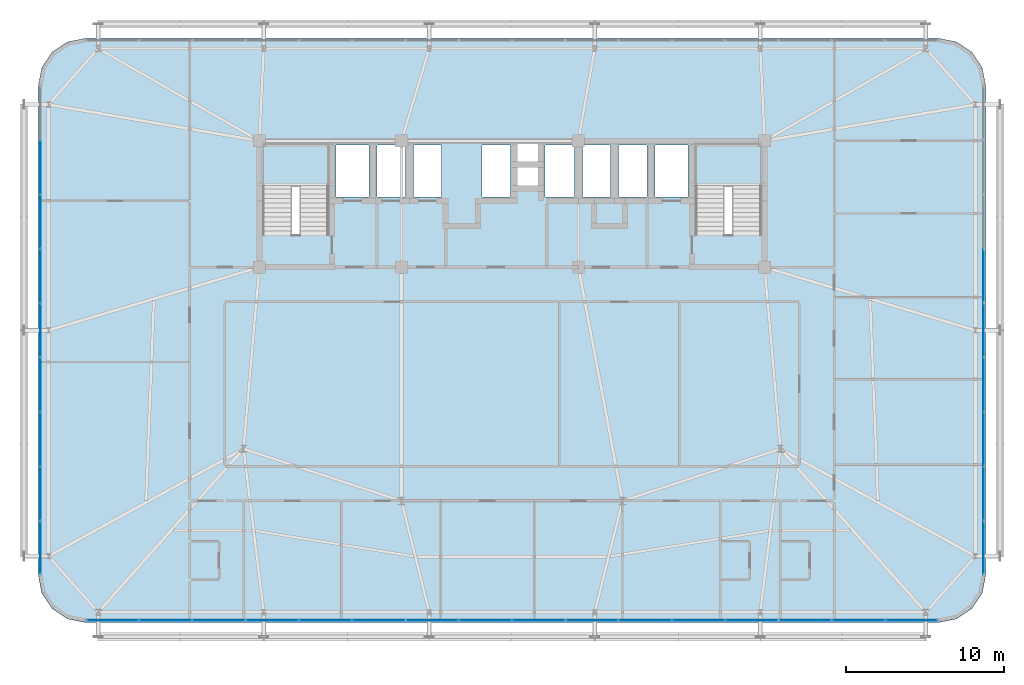
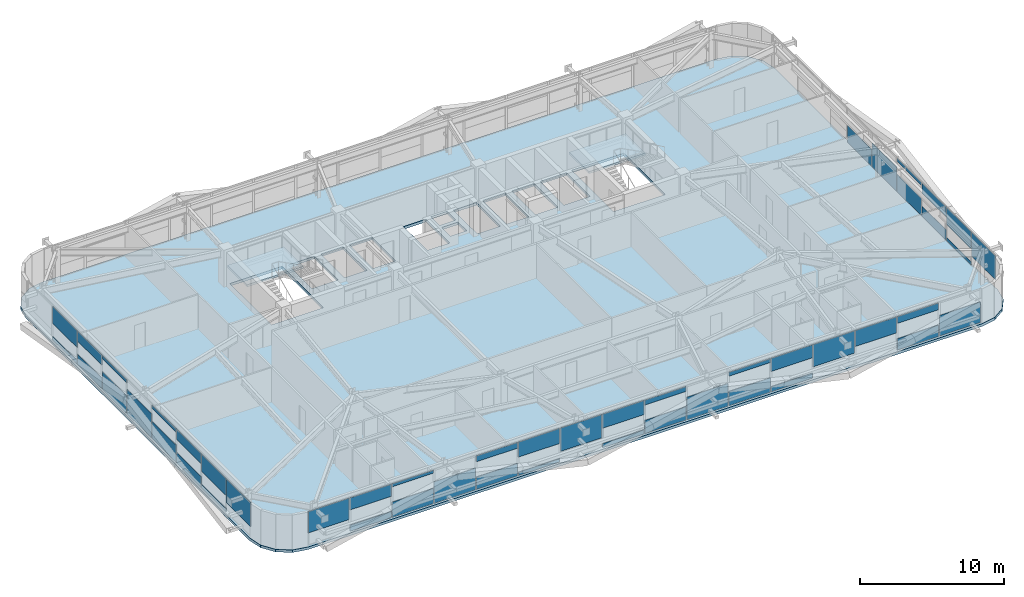
# One storey, part 42 of 58: 48 plates, 3 slabs, 5 elements without a shape of their own.
"""IFC4 building model written with IfcOpenShell, lengths in metres."""

from ifc_helpers import new_model, si_unit, direction, frame, origin, origin_2d, place, context, subcontext, project, spatial, polyline, rectangle, outline, extrude, source, transform, mapped, material, layer, layer_set, type_object, element, aggregate, save


model = new_model("IFC4")

# Units and contexts
model_context = context("Model", 3, precision=1e-05, world=origin(), true_north=direction((0.0, 1.0)))
body_context = subcontext(model_context, "Body", "Model", "MODEL_VIEW")
ifc_project = project(units=[si_unit("LENGTHUNIT", "METRE"), si_unit("AREAUNIT", "SQUARE_METRE"), si_unit("VOLUMEUNIT", "CUBIC_METRE"), si_unit("PLANEANGLEUNIT", "RADIAN"), si_unit("MASSUNIT", "GRAM", prefix="KILO")], contexts=[model_context])

# Site, building, storey
site_placement = place(None, origin())
site = spatial("IfcSite", under=ifc_project, at=site_placement, CompositionType="ELEMENT")
building_placement = place(site_placement, origin())
building = spatial("IfcBuilding", under=site, at=building_placement, Name="Taldren Reach Tower", CompositionType="ELEMENT")
storey_placement = place(building_placement, frame((0.0, 0.0, 54.60009765625)))
storey = spatial("IfcBuildingStorey", under=building, at=storey_placement, Name="L16", CompositionType="ELEMENT", Elevation=54.60009765625)

# Slab
ifc_material_1 = material(Name="Concrete N40 (40 MPa)", Category="concrete")
ifc_layer_1 = layer(ifc_material_1, 0.219970703125)
ifc_layer_set_1 = layer_set([ifc_layer_1], Name="Concrete N40 (40 MPa)")
slab_type_1 = type_object("IfcSlabType", Name="SL-FLR-220", PredefinedType="FLOOR", material=ifc_layer_set_1)
slab_1_placement = place(storey_placement, frame((0.0, 0.0, -0.22021484375)))
element("IfcSlab", 1, at=slab_1_placement, inside=storey, type_object=slab_type_1, Name="Suspended floor slab L16", PredefinedType="FLOOR", context=body_context, shape_type="SweptSolid", body=[
    extrude(outline(polyline([(62.0, 1.5), (63.14794921875, 1.728271484375), (64.121337890625, 2.378662109375), (64.771728515625, 3.35205078125), (65.0, 4.5), (65.0, 35.5), (64.771728515625, 36.64794921875), (64.121337890625, 37.621337890625), (63.14794921875, 38.271728515625), (62.0, 38.5), (8.0, 38.5), (6.85205078125, 38.271728515625), (5.878662109375, 37.621337890625), (5.228271484375, 36.64794921875), (5.0, 35.5), (5.0, 4.5), (5.228271484375, 3.35205078125), (5.878662109375, 2.378662109375), (6.85205078125, 1.728271484375), (8.0, 1.5), (62.0, 1.5)]), holes=[polyline([(19.219970703125, 26.050048828125), (23.3798828125, 26.050048828125), (23.3798828125, 31.820068359375), (19.219970703125, 31.820068359375), (19.219970703125, 26.050048828125)]), polyline([(46.6201171875, 26.050048828125), (50.780029296875, 26.050048828125), (50.780029296875, 31.820068359375), (46.6201171875, 31.820068359375), (46.6201171875, 26.050048828125)]), polyline([(23.85009765625, 28.449951171875), (25.949951171875, 28.449951171875), (25.949951171875, 31.75), (23.85009765625, 31.75), (23.85009765625, 28.449951171875)]), polyline([(44.050048828125, 28.449951171875), (46.14990234375, 28.449951171875), (46.14990234375, 31.75), (44.050048828125, 31.75), (44.050048828125, 28.449951171875)]), polyline([(26.449951171875, 28.449951171875), (28.25, 28.449951171875), (28.25, 31.75), (26.449951171875, 31.75), (26.449951171875, 28.449951171875)]), polyline([(28.75, 28.449951171875), (30.550048828125, 28.449951171875), (30.550048828125, 31.75), (28.75, 31.75), (28.75, 28.449951171875)]), polyline([(33.10009765625, 28.449951171875), (34.89990234375, 28.449951171875), (34.89990234375, 31.75), (33.10009765625, 31.75), (33.10009765625, 28.449951171875)]), polyline([(37.10009765625, 28.449951171875), (38.949951171875, 28.449951171875), (38.949951171875, 31.75), (37.10009765625, 31.75), (37.10009765625, 28.449951171875)]), polyline([(39.449951171875, 28.449951171875), (41.25, 28.449951171875), (41.25, 31.75), (39.449951171875, 31.75), (39.449951171875, 28.449951171875)]), polyline([(41.75, 28.449951171875), (43.550048828125, 28.449951171875), (43.550048828125, 31.75), (41.75, 31.75), (41.75, 28.449951171875)]), polyline([(35.35009765625, 30.64990234375), (36.64990234375, 30.64990234375), (36.64990234375, 31.85009765625), (35.35009765625, 31.85009765625), (35.35009765625, 30.64990234375)]), polyline([(35.35009765625, 29.14990234375), (36.64990234375, 29.14990234375), (36.64990234375, 30.35009765625), (35.35009765625, 30.35009765625), (35.35009765625, 29.14990234375)])]), origin(), (0.0, 0.0, 1.0), 0.22021484375),
])

# Stair, slab
ifc_material_2 = material(Name="Concrete S50 (50 MPa)", Category="concrete")
stair_type = type_object("IfcStairType", Name="ST-HT-315", PredefinedType="HALF_TURN_STAIR", material=ifc_material_2)
stair_1_placement = place(storey_placement, origin())
stair_1 = element("IfcStair", 2, at=stair_1_placement, inside=storey, type_object=stair_type, Name="Fire-isolated exit stair ST1 L16", PredefinedType="HALF_TURN_STAIR")
ifc_layer_2 = layer(ifc_material_2, 0.179931640625)
ifc_layer_set_2 = layer_set([ifc_layer_2], Name="Concrete S50 (50 MPa)")
slab_type_2 = type_object("IfcSlabType", Name="SL-LAND-180", PredefinedType="LANDING", material=ifc_layer_set_2)
slab_2_placement = place(storey_placement, frame((0.0, 0.0, 1.39501953125)))
slab_2 = element("IfcSlab", 3, at=slab_2_placement, type_object=slab_type_2, Name="ST1 landing 1", PredefinedType="LANDING", context=body_context, shape_type="SweptSolid", body=[
    extrude(outline(polyline([(19.0400390625, 29.135009765625), (23.56005859375, 29.135009765625), (23.56005859375, 31.8701171875), (19.0400390625, 31.8701171875), (19.0400390625, 29.135009765625)])), origin(), (0.0, 0.0, 1.0), 0.179931640625),
])
aggregate(stair_1, [slab_2])

stair_2_placement = place(storey_placement, origin())
stair_2 = element("IfcStair", 4, at=stair_2_placement, inside=storey, type_object=stair_type, Name="Fire-isolated exit stair ST2 L16", PredefinedType="HALF_TURN_STAIR")
slab_3_placement = place(storey_placement, frame((0.0, 0.0, 1.39501953125)))
slab_3 = element("IfcSlab", 5, at=slab_3_placement, type_object=slab_type_2, Name="ST2 landing 1", PredefinedType="LANDING", context=body_context, shape_type="SweptSolid", body=[
    extrude(outline(polyline([(46.43994140625, 29.135009765625), (50.9599609375, 29.135009765625), (50.9599609375, 31.8701171875), (46.43994140625, 31.8701171875), (46.43994140625, 29.135009765625)])), origin(), (0.0, 0.0, 1.0), 0.179931640625),
])
aggregate(stair_2, [slab_3])

# Curtain wall, plates
ifc_material_3 = material(Name="Aluminium and Low-E Glass Unitised System", Category="aluminium")
ifc_layer_3 = layer(ifc_material_3, 0.159912109375)
ifc_layer_set_3 = layer_set([ifc_layer_3], Name="Aluminium and Low-E Glass Unitised System")
curtain_wall_type = type_object("IfcCurtainWallType", Name="CW-SYS-2", PredefinedType="NOTDEFINED", material=ifc_layer_set_3)
curtain_wall_1_placement = place(storey_placement, origin())
curtain_wall_1 = element("IfcCurtainWall", 6, at=curtain_wall_1_placement, inside=storey, type_object=curtain_wall_type, Name="Unitised curtain wall CW-L16-S", PredefinedType="NOTDEFINED")
ifc_material_4 = material(Name="Solar-Control Double Glazed IGU", Category="glass")
ifc_layer_4 = layer(ifc_material_4, 0.031982421875)
ifc_layer_set_4 = layer_set([ifc_layer_4], Name="Solar-Control Double Glazed IGU")
plate_type = type_object("IfcPlateType", Name="CW-PNL-IGU32", PredefinedType="CURTAIN_PANEL", material=ifc_layer_set_4)
shared_shape_1 = source(origin(), body_context, "Body", "SweptSolid", [
    extrude(rectangle(XDim=3.277587890625, YDim=0.031982421875, at=origin_2d()), origin(), (0.0, 0.0, 1.0), 1.73876953125),
])
plate_1_placement = place(storey_placement, frame((60.296142578125, 1.639892578125, 0.054931640625), z_axis=(0.0, 0.0, 1.0), x_axis=(1.0, 0.0, 0.0)))
plate_1 = element("IfcPlate", 7, at=plate_1_placement, type_object=plate_type, Name="CW-2 panel 16.1 part 1", PredefinedType="CURTAIN_PANEL", context=body_context, shape_type="MappedRepresentation", body=[
    mapped(shared_shape_1, transform((0.0, 0.0, 0.0), scale=1.0)),
])
shared_shape_2 = source(origin(), body_context, "Body", "SweptSolid", [
    extrude(rectangle(XDim=3.31005859375, YDim=0.031982421875, at=origin_2d()), origin(), (0.0, 0.0, 1.0), 0.9560546875),
])
plate_2_placement = place(storey_placement, frame((56.9375, 1.639892578125, 0.054931640625), z_axis=(0.0, 0.0, 1.0), x_axis=(1.0, 0.0, 0.0)))
plate_2 = element("IfcPlate", 8, at=plate_2_placement, type_object=plate_type, Name="CW-2 panel 15.1 part 1", PredefinedType="CURTAIN_PANEL", context=body_context, shape_type="MappedRepresentation", body=[
    mapped(shared_shape_2, transform((0.0, 0.0, 0.0), scale=1.0)),
])
shared_shape_3 = source(origin(), body_context, "Body", "SweptSolid", [
    extrude(rectangle(XDim=3.31005859375, YDim=0.031982421875, at=origin_2d()), origin(), (0.0, 0.0, 1.0), 0.562744140625),
])
plate_3_placement = place(storey_placement, frame((56.9375, 1.639892578125, 2.31201171875), z_axis=(0.0, 0.0, 1.0), x_axis=(1.0, 0.0, 0.0)))
plate_3 = element("IfcPlate", 9, at=plate_3_placement, type_object=plate_type, Name="CW-2 panel 15.1 part 2", PredefinedType="CURTAIN_PANEL", context=body_context, shape_type="MappedRepresentation", body=[
    mapped(shared_shape_3, transform((0.0, 0.0, 0.0), scale=1.0)),
])
shared_shape_4 = source(origin(), body_context, "Body", "SweptSolid", [
    extrude(rectangle(XDim=3.31005859375, YDim=0.031982421875, at=origin_2d()), origin(), (0.0, 0.0, 1.0), 1.345458984375),
])
plate_4_placement = place(storey_placement, frame((53.5625, 1.639892578125, 1.529296875), z_axis=(0.0, 0.0, 1.0), x_axis=(1.0, 0.0, 0.0)))
plate_4 = element("IfcPlate", 10, at=plate_4_placement, type_object=plate_type, Name="CW-2 panel 14.1 part 1", PredefinedType="CURTAIN_PANEL", context=body_context, shape_type="MappedRepresentation", body=[
    mapped(shared_shape_4, transform((0.0, 0.0, 0.0), scale=1.0)),
])
shared_shape_5 = source(origin(), body_context, "Body", "SweptSolid", [
    extrude(rectangle(XDim=3.31005859375, YDim=0.031982421875, at=origin_2d()), origin(), (0.0, 0.0, 1.0), 1.881103515625),
])
plate_5_placement = place(storey_placement, frame((50.1875, 1.639892578125, 0.99365234375), z_axis=(0.0, 0.0, 1.0), x_axis=(1.0, 0.0, 0.0)))
plate_5 = element("IfcPlate", 11, at=plate_5_placement, type_object=plate_type, Name="CW-2 panel 13.1 part 1", PredefinedType="CURTAIN_PANEL", context=body_context, shape_type="MappedRepresentation", body=[
    mapped(shared_shape_5, transform((0.0, 0.0, 0.0), scale=1.0)),
])
shared_shape_6 = source(origin(), body_context, "Body", "SweptSolid", [
    extrude(rectangle(XDim=3.31005859375, YDim=0.031982421875, at=origin_2d()), origin(), (0.0, 0.0, 1.0), 0.42041015625),
])
plate_6_placement = place(storey_placement, frame((46.8125, 1.639892578125, 0.054931640625), z_axis=(0.0, 0.0, 1.0), x_axis=(1.0, 0.0, 0.0)))
plate_6 = element("IfcPlate", 12, at=plate_6_placement, type_object=plate_type, Name="CW-2 panel 12.1 part 1", PredefinedType="CURTAIN_PANEL", context=body_context, shape_type="MappedRepresentation", body=[
    mapped(shared_shape_6, transform((0.0, 0.0, 0.0), scale=1.0)),
])
shared_shape_7 = source(origin(), body_context, "Body", "SweptSolid", [
    extrude(rectangle(XDim=3.31005859375, YDim=0.031982421875, at=origin_2d()), origin(), (0.0, 0.0, 1.0), 1.098388671875),
])
plate_7_placement = place(storey_placement, frame((46.8125, 1.639892578125, 1.7763671875), z_axis=(0.0, 0.0, 1.0), x_axis=(1.0, 0.0, 0.0)))
plate_7 = element("IfcPlate", 13, at=plate_7_placement, type_object=plate_type, Name="CW-2 panel 12.1 part 2", PredefinedType="CURTAIN_PANEL", context=body_context, shape_type="MappedRepresentation", body=[
    mapped(shared_shape_7, transform((0.0, 0.0, 0.0), scale=1.0)),
])
shared_shape_8 = source(origin(), body_context, "Body", "SweptSolid", [
    extrude(rectangle(XDim=3.31005859375, YDim=0.031982421875, at=origin_2d()), origin(), (0.0, 0.0, 1.0), 1.203125),
])
plate_8_placement = place(storey_placement, frame((43.4375, 1.639892578125, 0.054931640625), z_axis=(0.0, 0.0, 1.0), x_axis=(1.0, 0.0, 0.0)))
plate_8 = element("IfcPlate", 14, at=plate_8_placement, type_object=plate_type, Name="CW-2 panel 11.1 part 1", PredefinedType="CURTAIN_PANEL", context=body_context, shape_type="MappedRepresentation", body=[
    mapped(shared_shape_8, transform((0.0, 0.0, 0.0), scale=1.0)),
])
shared_shape_9 = source(origin(), body_context, "Body", "SweptSolid", [
    extrude(rectangle(XDim=3.31005859375, YDim=0.031982421875, at=origin_2d()), origin(), (0.0, 0.0, 1.0), 0.31591796875),
])
plate_9_placement = place(storey_placement, frame((43.4375, 1.639892578125, 2.55908203125), z_axis=(0.0, 0.0, 1.0), x_axis=(1.0, 0.0, 0.0)))
plate_9 = element("IfcPlate", 15, at=plate_9_placement, type_object=plate_type, Name="CW-2 panel 11.1 part 2", PredefinedType="CURTAIN_PANEL", context=body_context, shape_type="MappedRepresentation", body=[
    mapped(shared_shape_9, transform((0.0, 0.0, 0.0), scale=1.0)),
])
shared_shape_10 = source(origin(), body_context, "Body", "SweptSolid", [
    extrude(rectangle(XDim=3.31005859375, YDim=0.031982421875, at=origin_2d()), origin(), (0.0, 0.0, 1.0), 1.9033203125),
])
plate_10_placement = place(storey_placement, frame((40.0625, 1.639892578125, 0.054931640625), z_axis=(0.0, 0.0, 1.0), x_axis=(1.0, 0.0, 0.0)))
plate_10 = element("IfcPlate", 16, at=plate_10_placement, type_object=plate_type, Name="CW-2 panel 10.1 part 1", PredefinedType="CURTAIN_PANEL", context=body_context, shape_type="MappedRepresentation", body=[
    mapped(shared_shape_10, transform((0.0, 0.0, 0.0), scale=1.0)),
])
shared_shape_11 = source(origin(), body_context, "Body", "SweptSolid", [
    extrude(rectangle(XDim=3.31005859375, YDim=0.031982421875, at=origin_2d()), origin(), (0.0, 0.0, 1.0), 1.120849609375),
])
plate_11_placement = place(storey_placement, frame((36.6875, 1.639892578125, 0.0546875), z_axis=(0.0, 0.0, 1.0), x_axis=(1.0, 0.0, 0.0)))
plate_11 = element("IfcPlate", 17, at=plate_11_placement, type_object=plate_type, Name="CW-2 panel 9.1 part 1", PredefinedType="CURTAIN_PANEL", context=body_context, shape_type="MappedRepresentation", body=[
    mapped(shared_shape_11, transform((0.0, 0.0, 0.0), scale=1.0)),
])
shared_shape_12 = source(origin(), body_context, "Body", "SweptSolid", [
    extrude(rectangle(XDim=3.31005859375, YDim=0.031982421875, at=origin_2d()), origin(), (0.0, 0.0, 1.0), 0.398193359375),
])
plate_12_placement = place(storey_placement, frame((36.6875, 1.639892578125, 2.4765625), z_axis=(0.0, 0.0, 1.0), x_axis=(1.0, 0.0, 0.0)))
plate_12 = element("IfcPlate", 18, at=plate_12_placement, type_object=plate_type, Name="CW-2 panel 9.1 part 2", PredefinedType="CURTAIN_PANEL", context=body_context, shape_type="MappedRepresentation", body=[
    mapped(shared_shape_12, transform((0.0, 0.0, 0.0), scale=1.0)),
])
shared_shape_13 = source(origin(), body_context, "Body", "SweptSolid", [
    extrude(rectangle(XDim=3.31005859375, YDim=0.031982421875, at=origin_2d()), origin(), (0.0, 0.0, 1.0), 0.338134765625),
])
plate_13_placement = place(storey_placement, frame((33.3125, 1.639892578125, 0.05517578125), z_axis=(0.0, 0.0, 1.0), x_axis=(1.0, 0.0, 0.0)))
plate_13 = element("IfcPlate", 19, at=plate_13_placement, type_object=plate_type, Name="CW-2 panel 8.1 part 1", PredefinedType="CURTAIN_PANEL", context=body_context, shape_type="MappedRepresentation", body=[
    mapped(shared_shape_13, transform((0.0, 0.0, 0.0), scale=1.0)),
])
shared_shape_14 = source(origin(), body_context, "Body", "SweptSolid", [
    extrude(rectangle(XDim=3.31005859375, YDim=0.031982421875, at=origin_2d()), origin(), (0.0, 0.0, 1.0), 1.1806640625),
])
plate_14_placement = place(storey_placement, frame((33.3125, 1.639892578125, 1.694091796875), z_axis=(0.0, 0.0, 1.0), x_axis=(1.0, 0.0, 0.0)))
plate_14 = element("IfcPlate", 20, at=plate_14_placement, type_object=plate_type, Name="CW-2 panel 8.1 part 2", PredefinedType="CURTAIN_PANEL", context=body_context, shape_type="MappedRepresentation", body=[
    mapped(shared_shape_14, transform((0.0, 0.0, 0.0), scale=1.0)),
])
shared_shape_15 = source(origin(), body_context, "Body", "SweptSolid", [
    extrude(rectangle(XDim=3.31005859375, YDim=0.031982421875, at=origin_2d()), origin(), (0.0, 0.0, 1.0), 1.96337890625),
])
plate_15_placement = place(storey_placement, frame((29.9375, 1.639892578125, 0.91162109375), z_axis=(0.0, 0.0, 1.0), x_axis=(1.0, 0.0, 0.0)))
plate_15 = element("IfcPlate", 21, at=plate_15_placement, type_object=plate_type, Name="CW-2 panel 7.1 part 1", PredefinedType="CURTAIN_PANEL", context=body_context, shape_type="MappedRepresentation", body=[
    mapped(shared_shape_15, transform((0.0, 0.0, 0.0), scale=1.0)),
])
shared_shape_16 = source(origin(), body_context, "Body", "SweptSolid", [
    extrude(rectangle(XDim=3.31005859375, YDim=0.031982421875, at=origin_2d()), origin(), (0.0, 0.0, 1.0), 0.255859375),
])
plate_16_placement = place(storey_placement, frame((26.5625, 1.639892578125, 0.054931640625), z_axis=(0.0, 0.0, 1.0), x_axis=(1.0, 0.0, 0.0)))
plate_16 = element("IfcPlate", 22, at=plate_16_placement, type_object=plate_type, Name="CW-2 panel 6.1 part 1", PredefinedType="CURTAIN_PANEL", context=body_context, shape_type="MappedRepresentation", body=[
    mapped(shared_shape_16, transform((0.0, 0.0, 0.0), scale=1.0)),
])
shared_shape_17 = source(origin(), body_context, "Body", "SweptSolid", [
    extrude(rectangle(XDim=3.31005859375, YDim=0.031982421875, at=origin_2d()), origin(), (0.0, 0.0, 1.0), 1.26318359375),
])
plate_17_placement = place(storey_placement, frame((26.5625, 1.639892578125, 1.61181640625), z_axis=(0.0, 0.0, 1.0), x_axis=(1.0, 0.0, 0.0)))
plate_17 = element("IfcPlate", 23, at=plate_17_placement, type_object=plate_type, Name="CW-2 panel 6.1 part 2", PredefinedType="CURTAIN_PANEL", context=body_context, shape_type="MappedRepresentation", body=[
    mapped(shared_shape_17, transform((0.0, 0.0, 0.0), scale=1.0)),
])
shared_shape_18 = source(origin(), body_context, "Body", "SweptSolid", [
    extrude(rectangle(XDim=3.31005859375, YDim=0.031982421875, at=origin_2d()), origin(), (0.0, 0.0, 1.0), 1.03857421875),
])
plate_18_placement = place(storey_placement, frame((23.1875, 1.639892578125, 0.054931640625), z_axis=(0.0, 0.0, 1.0), x_axis=(1.0, 0.0, 0.0)))
plate_18 = element("IfcPlate", 24, at=plate_18_placement, type_object=plate_type, Name="CW-2 panel 5.1 part 1", PredefinedType="CURTAIN_PANEL", context=body_context, shape_type="MappedRepresentation", body=[
    mapped(shared_shape_18, transform((0.0, 0.0, 0.0), scale=1.0)),
])
shared_shape_19 = source(origin(), body_context, "Body", "SweptSolid", [
    extrude(rectangle(XDim=3.31005859375, YDim=0.031982421875, at=origin_2d()), origin(), (0.0, 0.0, 1.0), 0.48046875),
])
plate_19_placement = place(storey_placement, frame((23.1875, 1.639892578125, 2.394287109375), z_axis=(0.0, 0.0, 1.0), x_axis=(1.0, 0.0, 0.0)))
plate_19 = element("IfcPlate", 25, at=plate_19_placement, type_object=plate_type, Name="CW-2 panel 5.1 part 2", PredefinedType="CURTAIN_PANEL", context=body_context, shape_type="MappedRepresentation", body=[
    mapped(shared_shape_19, transform((0.0, 0.0, 0.0), scale=1.0)),
])
shared_shape_20 = source(origin(), body_context, "Body", "SweptSolid", [
    extrude(rectangle(XDim=3.31005859375, YDim=0.031982421875, at=origin_2d()), origin(), (0.0, 0.0, 1.0), 1.821044921875),
])
plate_20_placement = place(storey_placement, frame((19.8125, 1.639892578125, 0.0546875), z_axis=(0.0, 0.0, 1.0), x_axis=(1.0, 0.0, 0.0)))
plate_20 = element("IfcPlate", 26, at=plate_20_placement, type_object=plate_type, Name="CW-2 panel 4.1 part 1", PredefinedType="CURTAIN_PANEL", context=body_context, shape_type="MappedRepresentation", body=[
    mapped(shared_shape_20, transform((0.0, 0.0, 0.0), scale=1.0)),
])
shared_shape_21 = source(origin(), body_context, "Body", "SweptSolid", [
    extrude(rectangle(XDim=3.31005859375, YDim=0.031982421875, at=origin_2d()), origin(), (0.0, 0.0, 1.0), 1.285400390625),
])
plate_21_placement = place(storey_placement, frame((16.4375, 1.639892578125, 0.0546875), z_axis=(0.0, 0.0, 1.0), x_axis=(1.0, 0.0, 0.0)))
plate_21 = element("IfcPlate", 27, at=plate_21_placement, type_object=plate_type, Name="CW-2 panel 3.1 part 1", PredefinedType="CURTAIN_PANEL", context=body_context, shape_type="MappedRepresentation", body=[
    mapped(shared_shape_21, transform((0.0, 0.0, 0.0), scale=1.0)),
])
shared_shape_22 = source(origin(), body_context, "Body", "SweptSolid", [
    extrude(rectangle(XDim=3.31005859375, YDim=0.031982421875, at=origin_2d()), origin(), (0.0, 0.0, 1.0), 0.233642578125),
])
plate_22_placement = place(storey_placement, frame((16.4375, 1.639892578125, 2.64111328125), z_axis=(0.0, 0.0, 1.0), x_axis=(1.0, 0.0, 0.0)))
plate_22 = element("IfcPlate", 28, at=plate_22_placement, type_object=plate_type, Name="CW-2 panel 3.1 part 2", PredefinedType="CURTAIN_PANEL", context=body_context, shape_type="MappedRepresentation", body=[
    mapped(shared_shape_22, transform((0.0, 0.0, 0.0), scale=1.0)),
])
shared_shape_23 = source(origin(), body_context, "Body", "SweptSolid", [
    extrude(rectangle(XDim=3.31005859375, YDim=0.031982421875, at=origin_2d()), origin(), (0.0, 0.0, 1.0), 0.5029296875),
])
plate_23_placement = place(storey_placement, frame((13.0625, 1.639892578125, 0.054931640625), z_axis=(0.0, 0.0, 1.0), x_axis=(1.0, 0.0, 0.0)))
plate_23 = element("IfcPlate", 29, at=plate_23_placement, type_object=plate_type, Name="CW-2 panel 2.1 part 1", PredefinedType="CURTAIN_PANEL", context=body_context, shape_type="MappedRepresentation", body=[
    mapped(shared_shape_23, transform((0.0, 0.0, 0.0), scale=1.0)),
])
shared_shape_24 = source(origin(), body_context, "Body", "SweptSolid", [
    extrude(rectangle(XDim=3.31005859375, YDim=0.031982421875, at=origin_2d()), origin(), (0.0, 0.0, 1.0), 1.01611328125),
])
plate_24_placement = place(storey_placement, frame((13.0625, 1.639892578125, 1.85888671875), z_axis=(0.0, 0.0, 1.0), x_axis=(1.0, 0.0, 0.0)))
plate_24 = element("IfcPlate", 30, at=plate_24_placement, type_object=plate_type, Name="CW-2 panel 2.1 part 2", PredefinedType="CURTAIN_PANEL", context=body_context, shape_type="MappedRepresentation", body=[
    mapped(shared_shape_24, transform((0.0, 0.0, 0.0), scale=1.0)),
])
shared_shape_25 = source(origin(), body_context, "Body", "SweptSolid", [
    extrude(rectangle(XDim=3.277587890625, YDim=0.031982421875, at=origin_2d()), origin(), (0.0, 0.0, 1.0), 1.798583984375),
])
plate_25_placement = place(storey_placement, frame((9.703857421875, 1.639892578125, 1.076171875), z_axis=(0.0, 0.0, 1.0), x_axis=(1.0, 0.0, 0.0)))
plate_25 = element("IfcPlate", 31, at=plate_25_placement, type_object=plate_type, Name="CW-2 panel 1.1 part 1", PredefinedType="CURTAIN_PANEL", context=body_context, shape_type="MappedRepresentation", body=[
    mapped(shared_shape_25, transform((0.0, 0.0, 0.0), scale=1.0)),
])
aggregate(curtain_wall_1, [plate_25, plate_23, plate_24, plate_21, plate_22, plate_20, plate_18, plate_19, plate_16, plate_17, plate_15, plate_13, plate_14, plate_11, plate_12, plate_10, plate_8, plate_9, plate_6, plate_7, plate_5, plate_4, plate_2, plate_3, plate_1])

# Curtain wall, plate
curtain_wall_2_placement = place(storey_placement, origin())
curtain_wall_2 = element("IfcCurtainWall", 32, at=curtain_wall_2_placement, inside=storey, type_object=curtain_wall_type, Name="Unitised curtain wall CW-L16-W", PredefinedType="NOTDEFINED")
shared_shape_26 = source(origin(), body_context, "Body", "SweptSolid", [
    extrude(rectangle(XDim=3.346923828125, YDim=0.031982421875, at=origin_2d()), origin(), (0.0, 0.0, 1.0), 2.015380859375),
])
plate_26_placement = place(storey_placement, frame((5.139892578125, 6.238525390625, 0.859375), z_axis=(0.0, 0.0, 1.0), x_axis=(0.0, -1.0, 0.0)))
plate_26 = element("IfcPlate", 33, at=plate_26_placement, type_object=plate_type, Name="CW-2 panel 9.1 part 1", PredefinedType="CURTAIN_PANEL", context=body_context, shape_type="MappedRepresentation", body=[
    mapped(shared_shape_26, transform((0.0, 0.0, 0.0), scale=1.0)),
])

curtain_wall_3_placement = place(storey_placement, origin())
curtain_wall_3 = element("IfcCurtainWall", 34, at=curtain_wall_3_placement, inside=storey, type_object=curtain_wall_type, Name="Unitised curtain wall CW-L16-E", PredefinedType="NOTDEFINED")
plate_27_placement = place(storey_placement, frame((64.860107421875, 6.238525390625, 0.859375), z_axis=(0.0, 0.0, 1.0), x_axis=(0.0, 1.0, 0.0)))
plate_27 = element("IfcPlate", 35, at=plate_27_placement, type_object=plate_type, Name="CW-2 panel 1.1 part 1", PredefinedType="CURTAIN_PANEL", context=body_context, shape_type="MappedRepresentation", body=[
    mapped(shared_shape_26, transform((0.0, 0.0, 0.0), scale=1.0)),
])

# Plate
shared_shape_27 = source(origin(), body_context, "Body", "SweptSolid", [
    extrude(rectangle(XDim=3.37939453125, YDim=0.031982421875, at=origin_2d()), origin(), (0.0, 0.0, 1.0), 0.288330078125),
])
plate_28_placement = place(storey_placement, frame((5.139892578125, 30.333251953125, 0.0546875), z_axis=(0.0, 0.0, 1.0), x_axis=(0.0, -1.0, 0.0)))
plate_28 = element("IfcPlate", 36, at=plate_28_placement, type_object=plate_type, Name="CW-2 panel 2.1 part 1", PredefinedType="CURTAIN_PANEL", context=body_context, shape_type="MappedRepresentation", body=[
    mapped(shared_shape_27, transform((0.0, 0.0, 0.0), scale=1.0)),
])

plate_29_placement = place(storey_placement, frame((5.139892578125, 9.666748046875, 0.0546875), z_axis=(0.0, 0.0, 1.0), x_axis=(0.0, -1.0, 0.0)))
plate_29 = element("IfcPlate", 37, at=plate_29_placement, type_object=plate_type, Name="CW-2 panel 8.1 part 1", PredefinedType="CURTAIN_PANEL", context=body_context, shape_type="MappedRepresentation", body=[
    mapped(shared_shape_27, transform((0.0, 0.0, 0.0), scale=1.0)),
])

plate_30_placement = place(storey_placement, frame((64.860107421875, 9.666748046875, 0.0546875), z_axis=(0.0, 0.0, 1.0), x_axis=(0.0, 1.0, 0.0)))
plate_30 = element("IfcPlate", 38, at=plate_30_placement, type_object=plate_type, Name="CW-2 panel 2.1 part 1", PredefinedType="CURTAIN_PANEL", context=body_context, shape_type="MappedRepresentation", body=[
    mapped(shared_shape_27, transform((0.0, 0.0, 0.0), scale=1.0)),
])

shared_shape_28 = source(origin(), body_context, "Body", "SweptSolid", [
    extrude(rectangle(XDim=3.37939453125, YDim=0.031982421875, at=origin_2d()), origin(), (0.0, 0.0, 1.0), 1.43017578125),
])
plate_31_placement = place(storey_placement, frame((5.139892578125, 30.333251953125, 1.44482421875), z_axis=(0.0, 0.0, 1.0), x_axis=(0.0, -1.0, 0.0)))
plate_31 = element("IfcPlate", 39, at=plate_31_placement, type_object=plate_type, Name="CW-2 panel 2.1 part 2", PredefinedType="CURTAIN_PANEL", context=body_context, shape_type="MappedRepresentation", body=[
    mapped(shared_shape_28, transform((0.0, 0.0, 0.0), scale=1.0)),
])

plate_32_placement = place(storey_placement, frame((5.139892578125, 9.666748046875, 1.44482421875), z_axis=(0.0, 0.0, 1.0), x_axis=(0.0, -1.0, 0.0)))
plate_32 = element("IfcPlate", 40, at=plate_32_placement, type_object=plate_type, Name="CW-2 panel 8.1 part 2", PredefinedType="CURTAIN_PANEL", context=body_context, shape_type="MappedRepresentation", body=[
    mapped(shared_shape_28, transform((0.0, 0.0, 0.0), scale=1.0)),
])

plate_33_placement = place(storey_placement, frame((64.860107421875, 9.666748046875, 1.44482421875), z_axis=(0.0, 0.0, 1.0), x_axis=(0.0, 1.0, 0.0)))
plate_33 = element("IfcPlate", 41, at=plate_33_placement, type_object=plate_type, Name="CW-2 panel 2.1 part 2", PredefinedType="CURTAIN_PANEL", context=body_context, shape_type="MappedRepresentation", body=[
    mapped(shared_shape_28, transform((0.0, 0.0, 0.0), scale=1.0)),
])

shared_shape_29 = source(origin(), body_context, "Body", "SweptSolid", [
    extrude(rectangle(XDim=3.37939453125, YDim=0.031982421875, at=origin_2d()), origin(), (0.0, 0.0, 1.0), 0.87353515625),
])
plate_34_placement = place(storey_placement, frame((5.139892578125, 26.888916015625, 0.054931640625), z_axis=(0.0, 0.0, 1.0), x_axis=(0.0, -1.0, 0.0)))
plate_34 = element("IfcPlate", 42, at=plate_34_placement, type_object=plate_type, Name="CW-2 panel 3.1 part 1", PredefinedType="CURTAIN_PANEL", context=body_context, shape_type="MappedRepresentation", body=[
    mapped(shared_shape_29, transform((0.0, 0.0, 0.0), scale=1.0)),
])

plate_35_placement = place(storey_placement, frame((5.139892578125, 13.111083984375, 0.054931640625), z_axis=(0.0, 0.0, 1.0), x_axis=(0.0, -1.0, 0.0)))
plate_35 = element("IfcPlate", 43, at=plate_35_placement, type_object=plate_type, Name="CW-2 panel 7.1 part 1", PredefinedType="CURTAIN_PANEL", context=body_context, shape_type="MappedRepresentation", body=[
    mapped(shared_shape_29, transform((0.0, 0.0, 0.0), scale=1.0)),
])

plate_36_placement = place(storey_placement, frame((64.860107421875, 13.111083984375, 0.054931640625), z_axis=(0.0, 0.0, 1.0), x_axis=(0.0, 1.0, 0.0)))
plate_36 = element("IfcPlate", 44, at=plate_36_placement, type_object=plate_type, Name="CW-2 panel 3.1 part 1", PredefinedType="CURTAIN_PANEL", context=body_context, shape_type="MappedRepresentation", body=[
    mapped(shared_shape_29, transform((0.0, 0.0, 0.0), scale=1.0)),
])

shared_shape_30 = source(origin(), body_context, "Body", "SweptSolid", [
    extrude(rectangle(XDim=3.37939453125, YDim=0.031982421875, at=origin_2d()), origin(), (0.0, 0.0, 1.0), 0.8447265625),
])
plate_37_placement = place(storey_placement, frame((5.139892578125, 26.888916015625, 2.030029296875), z_axis=(0.0, 0.0, 1.0), x_axis=(0.0, -1.0, 0.0)))
plate_37 = element("IfcPlate", 45, at=plate_37_placement, type_object=plate_type, Name="CW-2 panel 3.1 part 2", PredefinedType="CURTAIN_PANEL", context=body_context, shape_type="MappedRepresentation", body=[
    mapped(shared_shape_30, transform((0.0, 0.0, 0.0), scale=1.0)),
])

plate_38_placement = place(storey_placement, frame((5.139892578125, 13.111083984375, 2.030029296875), z_axis=(0.0, 0.0, 1.0), x_axis=(0.0, -1.0, 0.0)))
plate_38 = element("IfcPlate", 46, at=plate_38_placement, type_object=plate_type, Name="CW-2 panel 7.1 part 2", PredefinedType="CURTAIN_PANEL", context=body_context, shape_type="MappedRepresentation", body=[
    mapped(shared_shape_30, transform((0.0, 0.0, 0.0), scale=1.0)),
])

plate_39_placement = place(storey_placement, frame((64.860107421875, 13.111083984375, 2.030029296875), z_axis=(0.0, 0.0, 1.0), x_axis=(0.0, 1.0, 0.0)))
plate_39 = element("IfcPlate", 47, at=plate_39_placement, type_object=plate_type, Name="CW-2 panel 3.1 part 2", PredefinedType="CURTAIN_PANEL", context=body_context, shape_type="MappedRepresentation", body=[
    mapped(shared_shape_30, transform((0.0, 0.0, 0.0), scale=1.0)),
])

shared_shape_31 = source(origin(), body_context, "Body", "SweptSolid", [
    extrude(rectangle(XDim=3.37939453125, YDim=0.031982421875, at=origin_2d()), origin(), (0.0, 0.0, 1.0), 1.458984375),
])
plate_40_placement = place(storey_placement, frame((5.139892578125, 23.4443359375, 0.054931640625), z_axis=(0.0, 0.0, 1.0), x_axis=(0.0, -1.0, 0.0)))
plate_40 = element("IfcPlate", 48, at=plate_40_placement, type_object=plate_type, Name="CW-2 panel 4.1 part 1", PredefinedType="CURTAIN_PANEL", context=body_context, shape_type="MappedRepresentation", body=[
    mapped(shared_shape_31, transform((0.0, 0.0, 0.0), scale=1.0)),
])

plate_41_placement = place(storey_placement, frame((5.139892578125, 16.5556640625, 0.054931640625), z_axis=(0.0, 0.0, 1.0), x_axis=(0.0, -1.0, 0.0)))
plate_41 = element("IfcPlate", 49, at=plate_41_placement, type_object=plate_type, Name="CW-2 panel 6.1 part 1", PredefinedType="CURTAIN_PANEL", context=body_context, shape_type="MappedRepresentation", body=[
    mapped(shared_shape_31, transform((0.0, 0.0, 0.0), scale=1.0)),
])

plate_42_placement = place(storey_placement, frame((64.860107421875, 16.5556640625, 0.054931640625), z_axis=(0.0, 0.0, 1.0), x_axis=(0.0, 1.0, 0.0)))
plate_42 = element("IfcPlate", 50, at=plate_42_placement, type_object=plate_type, Name="CW-2 panel 4.1 part 1", PredefinedType="CURTAIN_PANEL", context=body_context, shape_type="MappedRepresentation", body=[
    mapped(shared_shape_31, transform((0.0, 0.0, 0.0), scale=1.0)),
])

plate_43_placement = place(storey_placement, frame((64.860107421875, 23.4443359375, 0.054931640625), z_axis=(0.0, 0.0, 1.0), x_axis=(0.0, 1.0, 0.0)))
plate_43 = element("IfcPlate", 51, at=plate_43_placement, type_object=plate_type, Name="CW-2 panel 6.1 part 1", PredefinedType="CURTAIN_PANEL", context=body_context, shape_type="MappedRepresentation", body=[
    mapped(shared_shape_31, transform((0.0, 0.0, 0.0), scale=1.0)),
])

shared_shape_32 = source(origin(), body_context, "Body", "SweptSolid", [
    extrude(rectangle(XDim=3.37939453125, YDim=0.031982421875, at=origin_2d()), origin(), (0.0, 0.0, 1.0), 0.259521484375),
])
plate_44_placement = place(storey_placement, frame((5.139892578125, 23.4443359375, 2.615234375), z_axis=(0.0, 0.0, 1.0), x_axis=(0.0, -1.0, 0.0)))
plate_44 = element("IfcPlate", 52, at=plate_44_placement, type_object=plate_type, Name="CW-2 panel 4.1 part 2", PredefinedType="CURTAIN_PANEL", context=body_context, shape_type="MappedRepresentation", body=[
    mapped(shared_shape_32, transform((0.0, 0.0, 0.0), scale=1.0)),
])

plate_45_placement = place(storey_placement, frame((5.139892578125, 16.5556640625, 2.615234375), z_axis=(0.0, 0.0, 1.0), x_axis=(0.0, -1.0, 0.0)))
plate_45 = element("IfcPlate", 53, at=plate_45_placement, type_object=plate_type, Name="CW-2 panel 6.1 part 2", PredefinedType="CURTAIN_PANEL", context=body_context, shape_type="MappedRepresentation", body=[
    mapped(shared_shape_32, transform((0.0, 0.0, 0.0), scale=1.0)),
])

plate_46_placement = place(storey_placement, frame((64.860107421875, 16.5556640625, 2.615234375), z_axis=(0.0, 0.0, 1.0), x_axis=(0.0, 1.0, 0.0)))
plate_46 = element("IfcPlate", 54, at=plate_46_placement, type_object=plate_type, Name="CW-2 panel 4.1 part 2", PredefinedType="CURTAIN_PANEL", context=body_context, shape_type="MappedRepresentation", body=[
    mapped(shared_shape_32, transform((0.0, 0.0, 0.0), scale=1.0)),
])

shared_shape_33 = source(origin(), body_context, "Body", "SweptSolid", [
    extrude(rectangle(XDim=3.37939453125, YDim=0.031982421875, at=origin_2d()), origin(), (0.0, 0.0, 1.0), 2.044189453125),
])
plate_47_placement = place(storey_placement, frame((5.139892578125, 20.0, 0.0546875), z_axis=(0.0, 0.0, 1.0), x_axis=(0.0, -1.0, 0.0)))
plate_47 = element("IfcPlate", 55, at=plate_47_placement, type_object=plate_type, Name="CW-2 panel 5.1 part 1", PredefinedType="CURTAIN_PANEL", context=body_context, shape_type="MappedRepresentation", body=[
    mapped(shared_shape_33, transform((0.0, 0.0, 0.0), scale=1.0)),
])

aggregate(curtain_wall_2, [plate_28, plate_31, plate_34, plate_37, plate_40, plate_44, plate_47, plate_41, plate_45, plate_35, plate_38, plate_29, plate_32, plate_26])

plate_48_placement = place(storey_placement, frame((64.860107421875, 20.0, 0.0546875), z_axis=(0.0, 0.0, 1.0), x_axis=(0.0, 1.0, 0.0)))
plate_48 = element("IfcPlate", 56, at=plate_48_placement, type_object=plate_type, Name="CW-2 panel 5.1 part 1", PredefinedType="CURTAIN_PANEL", context=body_context, shape_type="MappedRepresentation", body=[
    mapped(shared_shape_33, transform((0.0, 0.0, 0.0), scale=1.0)),
])

aggregate(curtain_wall_3, [plate_27, plate_30, plate_33, plate_36, plate_39, plate_42, plate_46, plate_48, plate_43])

save(model, "model.ifc")
